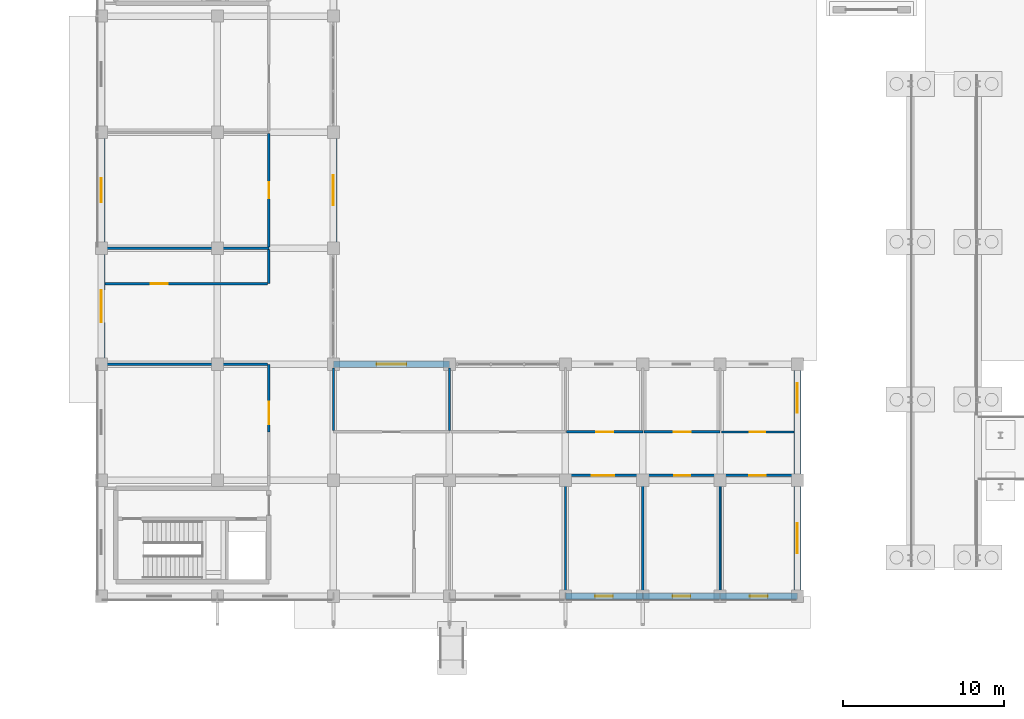
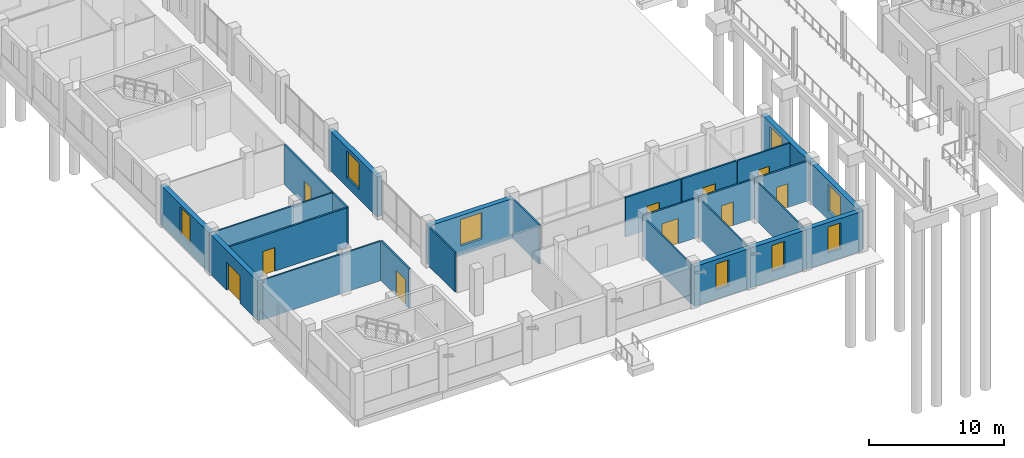
# One storey, part 72 of 98: 26 walls, 10 doors, 8 windows, 18 openings.
"""IFC4 building model written with IfcOpenShell, lengths in metres."""

import ifcopenshell
import ifcopenshell.guid

model = None  # the IFC model being written
_history = None  # IfcOwnerHistory: only IFC2X3 demands one
_inside = {}  # id of a spatial element -> (the spatial element, [elements in it])
_under = {}  # id of a project, library or spatial element -> (it, [spatial elements below it])
_declared = {}  # id of a project -> (the project, [libraries it declares])
_typed = {}  # id of a type object -> (the type object, [elements of that type])
_made_of = {}  # id of a material, layer set ... -> (it, [elements and type objects made of it])


def new_model(schema):
    """Start an empty IFC model of exactly this schema.

    Asked for "IFC4X3", IfcOpenShell would pick the latest addendum, in which some entities
    have other attributes; the version numbers below select the first issue.
    IFC2X3 requires an IfcOwnerHistory on every rooted entity: one is made here for all.
    """
    global model, _history
    if schema == "IFC4X3":
        model = ifcopenshell.file(schema_version=(4, 3, 0, 0))
    else:
        model = ifcopenshell.file(schema=schema)
    _inside.clear()
    _under.clear()
    _declared.clear()
    _typed.clear()
    _made_of.clear()
    _history = None
    if model.schema == "IFC2X3":
        org = make("IfcOrganization", Name="unknown")
        user = make(
            "IfcPersonAndOrganization",
            ThePerson=make("IfcPerson", FamilyName="unknown"),
            TheOrganization=org,
        )
        app = make(
            "IfcApplication",
            ApplicationDeveloper=org,
            Version="unknown",
            ApplicationFullName="unknown",
            ApplicationIdentifier="unknown",
        )
        _history = make(
            "IfcOwnerHistory",
            OwningUser=user,
            OwningApplication=app,
            ChangeAction="ADDED",
            CreationDate=0,
        )
    return model


def make(cls, **values):
    """One entity of the class cls with the attributes given. An attribute that is None is left unset."""
    return model.create_entity(
        cls, **{name: value for name, value in values.items() if value is not None}
    )


def rooted(cls, **values):
    """An entity with a GlobalId (a new one), such as an element, a storey or a relation."""
    return make(cls, GlobalId=ifcopenshell.guid.new(), OwnerHistory=_history, **values)


def si_unit(unit_type, name, prefix=None):
    """IfcSIUnit, for example si_unit("LENGTHUNIT", "METRE", prefix="MILLI")."""
    return make("IfcSIUnit", UnitType=unit_type, Prefix=prefix, Name=name)


def assignment(units):
    """IfcUnitAssignment: the units of a project."""
    return None if units is None else make("IfcUnitAssignment", Units=units)


def point(xyz):
    """IfcCartesianPoint."""
    return None if xyz is None else make("IfcCartesianPoint", Coordinates=xyz)


def direction(xyz):
    """IfcDirection."""
    return None if xyz is None else make("IfcDirection", DirectionRatios=xyz)


def frame(location, z_axis=None, x_axis=None):
    """IfcAxis2Placement3D, a coordinate frame: its origin and axes. An axis left out is left unset."""
    return make(
        "IfcAxis2Placement3D",
        Location=point(location),
        Axis=direction(z_axis),
        RefDirection=direction(x_axis),
    )


def frame_2d(location, x_axis=None):
    """IfcAxis2Placement2D, a coordinate frame in the plane: its origin and x axis."""
    return make(
        "IfcAxis2Placement2D", Location=point(location), RefDirection=direction(x_axis)
    )


def origin():
    """The frame at (0, 0, 0) with its axes left unset."""
    return frame((0.0, 0.0, 0.0))


def place(relative_to, where):
    """IfcLocalPlacement: puts the frame where relative to a parent placement (None: the world)."""
    return make(
        "IfcLocalPlacement", PlacementRelTo=relative_to, RelativePlacement=where
    )


def context(
    kind, dimensions, precision=None, world=None, true_north=None, identifier=None
):
    """IfcGeometricRepresentationContext, for example the 3D "Model" context."""
    return make(
        "IfcGeometricRepresentationContext",
        ContextIdentifier=identifier,
        ContextType=kind,
        CoordinateSpaceDimension=dimensions,
        Precision=precision,
        WorldCoordinateSystem=world,
        TrueNorth=true_north,
    )


def subcontext(parent, identifier, kind, view, scale=None):
    """IfcGeometricRepresentationSubContext, for example "Body" below "Model"."""
    return make(
        "IfcGeometricRepresentationSubContext",
        ContextIdentifier=identifier,
        ContextType=kind,
        ParentContext=parent,
        TargetScale=scale,
        TargetView=view,
    )


def project(units=None, contexts=None):
    """IfcProject with its units and contexts."""
    return rooted(
        "IfcProject",
        Name="project",
        RepresentationContexts=contexts,
        UnitsInContext=assignment(units),
    )


def spatial(cls, under=None, at=None, **own):
    """A site, building, storey or space (cls), placed at a placement, below another one or the project."""
    s = rooted(cls, ObjectPlacement=at, **own)
    if under is not None:
        _under.setdefault(under.id(), (under, []))[1].append(s)
    return s


def profile(cls, at=None, kind="AREA", **sizes):
    """A parametric profile (cls). Its sizes go by their IFC names, for example OverallWidth=200.0."""
    return make(cls, ProfileType=kind, Position=at, **sizes)


def rectangle(**sizes):
    """IfcRectangleProfileDef."""
    return profile("IfcRectangleProfileDef", **sizes)


def extrude(swept, where, along, depth):
    """IfcExtrudedAreaSolid: the profile swept, set in the frame where, extruded along a direction by depth."""
    return make(
        "IfcExtrudedAreaSolid",
        SweptArea=swept,
        Position=where,
        ExtrudedDirection=direction(along),
        Depth=depth,
    )


def shape(context_of_items, identifier, shape_type, items):
    """IfcShapeRepresentation: the items that make up one representation, for example the "Body"."""
    return make(
        "IfcShapeRepresentation",
        ContextOfItems=context_of_items,
        RepresentationIdentifier=identifier,
        RepresentationType=shape_type,
        Items=items,
    )


def material(Name=None, Category=None):
    """IfcMaterial."""
    return make("IfcMaterial", Name=Name, Category=Category)


def layer(
    of_material, thickness, ventilated=None, Name=None, Category=None, Priority=None
):
    """IfcMaterialLayer: one layer of a wall or slab, of a material (None: an air gap)."""
    return make(
        "IfcMaterialLayer",
        Material=of_material,
        LayerThickness=thickness,
        IsVentilated=ventilated,
        Name=Name,
        Category=Category,
        Priority=Priority,
    )


def layer_set(layers, Name=None):
    """IfcMaterialLayerSet."""
    return make("IfcMaterialLayerSet", MaterialLayers=layers, LayerSetName=Name)


def made_of(thing, what):
    """Note that an element or type object is made of a material, layer set ...; save() writes the relation."""
    if what is not None:
        _made_of.setdefault(what.id(), (what, []))[1].append(thing)
    return thing


def type_object(cls, material=None, **own):
    """A type object (cls), such as IfcWallType, which elements share."""
    return made_of(rooted(cls, **own), material)


def element(
    cls,
    number,
    at=None,
    inside=None,
    cuts=None,
    type_object=None,
    material=None,
    context=None,
    identifier="Body",
    shape_type=None,
    held_by="IfcProductDefinitionShape",
    body=None,
    shapes=None,
    **own,
):
    """One element of the class cls, such as IfcWall. Its Tag is "e" and its number.

    at: its placement. inside: the storey or other place that contains it. cuts: it is an
    opening in that element (IfcRelVoidsElement). A single representation is given by context,
    identifier, shape_type and body (its items); several are given by shapes. held_by: the class
    of the entity that holds the representations. save() writes the other relations.
    """
    e = rooted(cls, Tag="e%d" % number, ObjectPlacement=at, **own)
    if body is not None:
        shapes = [shape(context, identifier, shape_type, body)]
    if shapes is not None:
        e.Representation = make(held_by, Representations=shapes)
    if inside is not None:
        _inside.setdefault(inside.id(), (inside, []))[1].append(e)
    if cuts is not None:
        rooted(
            "IfcRelVoidsElement", RelatingBuildingElement=cuts, RelatedOpeningElement=e
        )
    if type_object is not None:
        _typed.setdefault(type_object.id(), (type_object, []))[1].append(e)
    return made_of(e, material)


def fill(opening, filler):
    """IfcRelFillsElement: the door or window that sits in an opening."""
    return rooted(
        "IfcRelFillsElement",
        RelatingOpeningElement=opening,
        RelatedBuildingElement=filler,
    )


def aggregate(whole, parts):
    """IfcRelAggregates: a whole, such as a stair, and the parts it consists of."""
    return rooted("IfcRelAggregates", RelatingObject=whole, RelatedObjects=parts)


def save(model, path):
    """Write the relations noted so far, then the file.

    IfcRelAggregates (storeys below a building ...), IfcRelContainedInSpatialStructure (elements
    in a storey), IfcRelDefinesByType, IfcRelAssociatesMaterial and IfcRelDeclares: one each for
    every whole, place, type object, material and project.
    """
    for whole, parts in _under.values():
        aggregate(whole, parts)
    for where, things in _inside.values():
        rooted(
            "IfcRelContainedInSpatialStructure",
            RelatedElements=things,
            RelatingStructure=where,
        )
    for kind, things in _typed.values():
        rooted("IfcRelDefinesByType", RelatedObjects=things, RelatingType=kind)
    for what, things in _made_of.values():
        rooted("IfcRelAssociatesMaterial", RelatedObjects=things, RelatingMaterial=what)
    for by, libraries in _declared.values():
        rooted("IfcRelDeclares", RelatingContext=by, RelatedDefinitions=libraries)
    model.write(path)


model = new_model("IFC4")

# Units and contexts
model_context = context("Model", 3, precision=1e-05, world=origin(), true_north=direction((0.0, 1.0)))
body_context = subcontext(model_context, "Body", "Model", "MODEL_VIEW")
ifc_project = project(units=[si_unit("LENGTHUNIT", "METRE"), si_unit("AREAUNIT", "SQUARE_METRE"), si_unit("VOLUMEUNIT", "CUBIC_METRE"), si_unit("PLANEANGLEUNIT", "RADIAN"), si_unit("MASSUNIT", "GRAM", prefix="KILO")], contexts=[model_context])

# Site, building, storey
site_placement = place(None, origin())
site = spatial("IfcSite", under=ifc_project, at=site_placement, CompositionType="ELEMENT")
building_placement = place(site_placement, origin())
building = spatial("IfcBuilding", under=site, at=building_placement, Name="Zornivar Specialist Clinic", CompositionType="ELEMENT")
storey_placement = place(building_placement, origin())
storey = spatial("IfcBuildingStorey", under=building, at=storey_placement, Name="L00", CompositionType="ELEMENT", Elevation=0.0)

# Wall, opening, window
ifc_material_1 = material(Name="Masonry Vratsa Limestone Ashlar Cavity Wall", Category="masonry")
ifc_layer_1 = layer(ifc_material_1, 0.419921875)
ifc_layer_set_1 = layer_set([ifc_layer_1], Name="Masonry Vratsa Limestone Ashlar Cavity Wall")
wall_type_1 = type_object("IfcWallType", Name="EW-LIMESTONE-420", PredefinedType="SOLIDWALL", material=ifc_layer_set_1)
wall_1_placement = place(storey_placement, frame((28.800048828125, 0.0, 0.0), z_axis=(0.0, 0.0, 1.0), x_axis=(1.0, 0.0, 0.0)))
wall_1 = element("IfcWall", 1, at=wall_1_placement, inside=storey, type_object=wall_type_1, Name="ew:V2:L00:04", PredefinedType="SOLIDWALL", context=body_context, shape_type="SweptSolid", body=[
    extrude(rectangle(XDim=4.800048828125, YDim=0.419921875, at=frame_2d((2.39990234375, 0.0))), origin(), (0.0, 0.0, 1.0), 3.60009765625),
])
opening_1_placement = place(wall_1_placement, frame((1.85009765625, 0.0, 0.85009765625)))
opening_1 = element("IfcOpeningElement", 2, at=opening_1_placement, cuts=wall_1, Name="Opening W-04", PredefinedType="OPENING", context=body_context, shape_type="SweptSolid", body=[
    extrude(rectangle(XDim=1.10009765625, YDim=2.35009765625, at=frame_2d((0.550048828125, 1.175048828125))), frame((0.0, 0.219970703125, 0.0), z_axis=(0.0, -1.0, 0.0), x_axis=(1.0, 0.0, 0.0)), (0.0, 0.0, 1.0), 0.43994140625),
])
ifc_material_2 = material(Name="Triple-Glazed Aluminium-Timber Window Glass", Category="wood")
window_type_1 = type_object("IfcWindowType", Name="WIN-PLINTH-PIER-1100x2350", PartitioningType="SINGLE_PANEL", PredefinedType="WINDOW", material=ifc_material_2)
window_1_placement = place(opening_1_placement, origin())
window_1 = element("IfcWindow", 3, at=window_1_placement, inside=storey, type_object=window_type_1, Name="win:V2:L00:04", OverallHeight=2.35009765625, OverallWidth=1.10009765625, PartitioningType="SINGLE_PANEL", PredefinedType="WINDOW", context=body_context, shape_type="SweptSolid", body=[
    extrude(rectangle(XDim=1.10009765625, YDim=2.35009765625, at=frame_2d((0.550048828125, 1.175048828125))), frame((0.0, 0.030029296875, 0.0), z_axis=(0.0, -1.0, 0.0), x_axis=(1.0, 0.0, 0.0)), (0.0, 0.0, 1.0), 0.06005859375),
])
fill(opening_1, window_1)

wall_2_placement = place(storey_placement, frame((33.60009765625, 0.0, 0.0), z_axis=(0.0, 0.0, 1.0), x_axis=(1.0, 0.0, 0.0)))
wall_2 = element("IfcWall", 4, at=wall_2_placement, inside=storey, type_object=wall_type_1, Name="ew:V2:L00:05", PredefinedType="SOLIDWALL", context=body_context, shape_type="SweptSolid", body=[
    extrude(rectangle(XDim=4.7998046875, YDim=0.419921875, at=frame_2d((2.39990234375, 0.0))), origin(), (0.0, 0.0, 1.0), 3.60009765625),
])
opening_2_placement = place(wall_2_placement, frame((1.85009765625, 0.0, 0.85009765625)))
opening_2 = element("IfcOpeningElement", 5, at=opening_2_placement, cuts=wall_2, Name="Opening W-04", PredefinedType="OPENING", context=body_context, shape_type="SweptSolid", body=[
    extrude(rectangle(XDim=1.10009765625, YDim=2.35009765625, at=frame_2d((0.550048828125, 1.175048828125))), frame((0.0, 0.219970703125, 0.0), z_axis=(0.0, -1.0, 0.0), x_axis=(1.0, 0.0, 0.0)), (0.0, 0.0, 1.0), 0.43994140625),
])
window_2_placement = place(opening_2_placement, origin())
window_2 = element("IfcWindow", 6, at=window_2_placement, inside=storey, type_object=window_type_1, Name="win:V2:L00:05", OverallHeight=2.35009765625, OverallWidth=1.10009765625, PartitioningType="SINGLE_PANEL", PredefinedType="WINDOW", context=body_context, shape_type="SweptSolid", body=[
    extrude(rectangle(XDim=1.10009765625, YDim=2.35009765625, at=frame_2d((0.550048828125, 1.175048828125))), frame((0.0, 0.030029296875, 0.0), z_axis=(0.0, -1.0, 0.0), x_axis=(1.0, 0.0, 0.0)), (0.0, 0.0, 1.0), 0.06005859375),
])
fill(opening_2, window_2)

wall_3_placement = place(storey_placement, frame((38.39990234375, 0.0, 0.0), z_axis=(0.0, 0.0, 1.0), x_axis=(1.0, 0.0, 0.0)))
wall_3 = element("IfcWall", 7, at=wall_3_placement, inside=storey, type_object=wall_type_1, Name="ew:V2:L00:06", PredefinedType="SOLIDWALL", context=body_context, shape_type="SweptSolid", body=[
    extrude(rectangle(XDim=4.800048828125, YDim=0.419921875, at=frame_2d((2.39990234375, 0.0))), origin(), (0.0, 0.0, 1.0), 3.60009765625),
])
opening_3_placement = place(wall_3_placement, frame((1.85009765625, 0.0, 0.85009765625)))
opening_3 = element("IfcOpeningElement", 8, at=opening_3_placement, cuts=wall_3, Name="Opening W-04", PredefinedType="OPENING", context=body_context, shape_type="SweptSolid", body=[
    extrude(rectangle(XDim=1.10009765625, YDim=2.35009765625, at=frame_2d((0.550048828125, 1.175048828125))), frame((0.0, 0.219970703125, 0.0), z_axis=(0.0, -1.0, 0.0), x_axis=(1.0, 0.0, 0.0)), (0.0, 0.0, 1.0), 0.43994140625),
])
window_3_placement = place(opening_3_placement, origin())
window_3 = element("IfcWindow", 9, at=window_3_placement, inside=storey, type_object=window_type_1, Name="win:V2:L00:06", OverallHeight=2.35009765625, OverallWidth=1.10009765625, PartitioningType="SINGLE_PANEL", PredefinedType="WINDOW", context=body_context, shape_type="SweptSolid", body=[
    extrude(rectangle(XDim=1.10009765625, YDim=2.35009765625, at=frame_2d((0.550048828125, 1.175048828125))), frame((0.0, 0.030029296875, 0.0), z_axis=(0.0, -1.0, 0.0), x_axis=(1.0, 0.0, 0.0)), (0.0, 0.0, 1.0), 0.06005859375),
])
fill(opening_3, window_3)

wall_4_placement = place(storey_placement, frame((43.199951171875, 0.0, 0.0), z_axis=(0.0, 0.0, 1.0), x_axis=(0.0, 1.0, 0.0)))
wall_4 = element("IfcWall", 10, at=wall_4_placement, inside=storey, type_object=wall_type_1, Name="ew:V2:L00:07", PredefinedType="SOLIDWALL", context=body_context, shape_type="SweptSolid", body=[
    extrude(rectangle(XDim=7.199951171875, YDim=0.419921875, at=frame_2d((3.60009765625, 0.0))), origin(), (0.0, 0.0, 1.0), 3.60009765625),
])
opening_4_placement = place(wall_4_placement, frame((2.675048828125, 0.0, 0.85009765625)))
opening_4 = element("IfcOpeningElement", 11, at=opening_4_placement, cuts=wall_4, Name="Opening W-03", PredefinedType="OPENING", context=body_context, shape_type="SweptSolid", body=[
    extrude(rectangle(XDim=1.85009765625, YDim=2.39990234375, at=frame_2d((0.925048828125, 1.199951171875))), frame((0.0, 0.219970703125, 0.0), z_axis=(0.0, -1.0, 0.0), x_axis=(1.0, 0.0, 0.0)), (0.0, 0.0, 1.0), 0.43994140625),
])
ifc_material_3 = material(Name="Triple-Glazed Aluminium-Timber Window Glass", Category="wood")
window_type_2 = type_object("IfcWindowType", Name="WIN-PLINTH-COURT-1850x2400", PartitioningType="SINGLE_PANEL", PredefinedType="WINDOW", material=ifc_material_3)
window_4_placement = place(opening_4_placement, origin())
window_4 = element("IfcWindow", 12, at=window_4_placement, inside=storey, type_object=window_type_2, Name="win:V2:L00:07", OverallHeight=2.39990234375, OverallWidth=1.85009765625, PartitioningType="SINGLE_PANEL", PredefinedType="WINDOW", context=body_context, shape_type="SweptSolid", body=[
    extrude(rectangle(XDim=1.85009765625, YDim=2.39990234375, at=frame_2d((0.925048828125, 1.199951171875))), frame((0.0, 0.030029296875, 0.0), z_axis=(0.0, -1.0, 0.0), x_axis=(1.0, 0.0, 0.0)), (0.0, 0.0, 1.0), 0.06005859375),
])
fill(opening_4, window_4)

wall_5_placement = place(storey_placement, frame((43.199951171875, 7.199951171875, 0.0), z_axis=(0.0, 0.0, 1.0), x_axis=(0.0, 1.0, 0.0)))
wall_5 = element("IfcWall", 13, at=wall_5_placement, inside=storey, type_object=wall_type_1, Name="ew:V2:L00:08", PredefinedType="SOLIDWALL", context=body_context, shape_type="SweptSolid", body=[
    extrude(rectangle(XDim=7.199951171875, YDim=0.419921875, at=frame_2d((3.60009765625, 0.0))), origin(), (0.0, 0.0, 1.0), 3.60009765625),
])
opening_5_placement = place(wall_5_placement, frame((4.175048828125, 0.0, 0.85009765625)))
opening_5 = element("IfcOpeningElement", 14, at=opening_5_placement, cuts=wall_5, Name="Opening W-03", PredefinedType="OPENING", context=body_context, shape_type="SweptSolid", body=[
    extrude(rectangle(XDim=1.85009765625, YDim=2.39990234375, at=frame_2d((0.925048828125, 1.199951171875))), frame((0.0, 0.219970703125, 0.0), z_axis=(0.0, -1.0, 0.0), x_axis=(1.0, 0.0, 0.0)), (0.0, 0.0, 1.0), 0.43994140625),
])
window_5_placement = place(opening_5_placement, origin())
window_5 = element("IfcWindow", 15, at=window_5_placement, inside=storey, type_object=window_type_2, Name="win:V2:L00:08", OverallHeight=2.39990234375, OverallWidth=1.85009765625, PartitioningType="SINGLE_PANEL", PredefinedType="WINDOW", context=body_context, shape_type="SweptSolid", body=[
    extrude(rectangle(XDim=1.85009765625, YDim=2.39990234375, at=frame_2d((0.925048828125, 1.199951171875))), frame((0.0, 0.030029296875, 0.0), z_axis=(0.0, -1.0, 0.0), x_axis=(1.0, 0.0, 0.0)), (0.0, 0.0, 1.0), 0.06005859375),
])
fill(opening_5, window_5)

wall_6_placement = place(storey_placement, frame((21.60009765625, 14.39990234375, 0.0), z_axis=(0.0, 0.0, 1.0), x_axis=(-1.0, 0.0, 0.0)))
wall_6 = element("IfcWall", 16, at=wall_6_placement, inside=storey, type_object=wall_type_1, Name="ew:V2:L00:13", PredefinedType="SOLIDWALL", context=body_context, shape_type="SweptSolid", body=[
    extrude(rectangle(XDim=7.2001953125, YDim=0.419921875, at=frame_2d((3.60009765625, 0.0))), origin(), (0.0, 0.0, 1.0), 3.60009765625),
])
opening_6_placement = place(wall_6_placement, frame((2.675048828125, 0.0, 0.85009765625)))
opening_6 = element("IfcOpeningElement", 17, at=opening_6_placement, cuts=wall_6, Name="Opening W-03", PredefinedType="OPENING", context=body_context, shape_type="SweptSolid", body=[
    extrude(rectangle(XDim=1.85009765625, YDim=2.39990234375, at=frame_2d((0.925048828125, 1.199951171875))), frame((0.0, 0.219970703125, 0.0), z_axis=(0.0, -1.0, 0.0), x_axis=(1.0, 0.0, 0.0)), (0.0, 0.0, 1.0), 0.43994140625),
])
window_6_placement = place(opening_6_placement, origin())
window_6 = element("IfcWindow", 18, at=window_6_placement, inside=storey, type_object=window_type_2, Name="win:V2:L00:13", OverallHeight=2.39990234375, OverallWidth=1.85009765625, PartitioningType="SINGLE_PANEL", PredefinedType="WINDOW", context=body_context, shape_type="SweptSolid", body=[
    extrude(rectangle(XDim=1.85009765625, YDim=2.39990234375, at=frame_2d((0.925048828125, 1.199951171875))), frame((0.0, 0.030029296875, 0.0), z_axis=(0.0, -1.0, 0.0), x_axis=(1.0, 0.0, 0.0)), (0.0, 0.0, 1.0), 0.06005859375),
])
fill(opening_6, window_6)

wall_7_placement = place(storey_placement, frame((14.39990234375, 21.60009765625, 0.0), z_axis=(0.0, 0.0, 1.0), x_axis=(0.0, 1.0, 0.0)))
wall_7 = element("IfcWall", 19, at=wall_7_placement, inside=storey, type_object=wall_type_1, Name="ew:V2:L00:15", PredefinedType="SOLIDWALL", context=body_context, shape_type="SweptSolid", body=[
    extrude(rectangle(XDim=7.199951171875, YDim=0.419921875, at=frame_2d((3.60009765625, 0.0))), origin(), (0.0, 0.0, 1.0), 3.60009765625),
])
opening_7_placement = place(wall_7_placement, frame((2.675048828125, 0.0, 0.85009765625)))
opening_7 = element("IfcOpeningElement", 20, at=opening_7_placement, cuts=wall_7, Name="Opening W-03", PredefinedType="OPENING", context=body_context, shape_type="SweptSolid", body=[
    extrude(rectangle(XDim=1.85009765625, YDim=2.39990234375, at=frame_2d((0.925048828125, 1.199951171875))), frame((0.0, 0.219970703125, 0.0), z_axis=(0.0, -1.0, 0.0), x_axis=(1.0, 0.0, 0.0)), (0.0, 0.0, 1.0), 0.43994140625),
])
window_7_placement = place(opening_7_placement, origin())
window_7 = element("IfcWindow", 21, at=window_7_placement, inside=storey, type_object=window_type_2, Name="win:V2:L00:15", OverallHeight=2.39990234375, OverallWidth=1.85009765625, PartitioningType="SINGLE_PANEL", PredefinedType="WINDOW", context=body_context, shape_type="SweptSolid", body=[
    extrude(rectangle(XDim=1.85009765625, YDim=2.39990234375, at=frame_2d((0.925048828125, 1.199951171875))), frame((0.0, 0.030029296875, 0.0), z_axis=(0.0, -1.0, 0.0), x_axis=(1.0, 0.0, 0.0)), (0.0, 0.0, 1.0), 0.06005859375),
])
fill(opening_7, window_7)

wall_8_placement = place(storey_placement, frame((0.0, 28.800048828125, 0.0), z_axis=(0.0, 0.0, 1.0), x_axis=(0.0, -1.0, 0.0)))
wall_8 = element("IfcWall", 22, at=wall_8_placement, inside=storey, type_object=wall_type_1, Name="ew:V2:L00:28", PredefinedType="SOLIDWALL", context=body_context, shape_type="SweptSolid", body=[
    extrude(rectangle(XDim=7.199951171875, YDim=0.419921875, at=frame_2d((3.60009765625, 0.0))), origin(), (0.0, 0.0, 1.0), 3.60009765625),
])
opening_8_placement = place(wall_8_placement, frame((2.85009765625, 0.0, 0.85009765625)))
opening_8 = element("IfcOpeningElement", 23, at=opening_8_placement, cuts=wall_8, Name="Opening W-02", PredefinedType="OPENING", context=body_context, shape_type="SweptSolid", body=[
    extrude(rectangle(XDim=1.5, YDim=2.5, at=frame_2d((0.75, 1.25))), frame((0.0, 0.219970703125, 0.0), z_axis=(0.0, -1.0, 0.0), x_axis=(1.0, 0.0, 0.0)), (0.0, 0.0, 1.0), 0.43994140625),
])
ifc_material_4 = material(Name="Triple-Glazed Aluminium-Timber Window Glass", Category="wood")
window_type_3 = type_object("IfcWindowType", Name="WIN-PLINTH-STREET-1500x2500", PartitioningType="SINGLE_PANEL", PredefinedType="WINDOW", material=ifc_material_4)
window_8_placement = place(opening_8_placement, origin())
window_8 = element("IfcWindow", 24, at=window_8_placement, inside=storey, type_object=window_type_3, Name="win:V2:L00:28", OverallHeight=2.5, OverallWidth=1.5, PartitioningType="SINGLE_PANEL", PredefinedType="WINDOW", context=body_context, shape_type="SweptSolid", body=[
    extrude(rectangle(XDim=1.5, YDim=2.5, at=frame_2d((0.75, 1.25))), frame((0.0, 0.030029296875, 0.0), z_axis=(0.0, -1.0, 0.0), x_axis=(1.0, 0.0, 0.0)), (0.0, 0.0, 1.0), 0.06005859375),
])
fill(opening_8, window_8)

# Wall, opening, door
wall_9_placement = place(storey_placement, frame((0.0, 21.60009765625, 0.0), z_axis=(0.0, 0.0, 1.0), x_axis=(0.0, -1.0, 0.0)))
wall_9 = element("IfcWall", 25, at=wall_9_placement, inside=storey, type_object=wall_type_1, Name="ew:V2:L00:29", PredefinedType="SOLIDWALL", context=body_context, shape_type="SweptSolid", body=[
    extrude(rectangle(XDim=7.2001953125, YDim=0.419921875, at=frame_2d((3.60009765625, 0.0))), origin(), (0.0, 0.0, 1.0), 3.60009765625),
])
opening_9_placement = place(wall_9_placement, frame((2.60009765625, 0.0, 0.0)))
opening_9 = element("IfcOpeningElement", 26, at=opening_9_placement, cuts=wall_9, Name="Opening ED-02", PredefinedType="OPENING", context=body_context, shape_type="SweptSolid", body=[
    extrude(rectangle(XDim=2.0, YDim=2.5, at=frame_2d((1.0, 1.25))), frame((0.0, 0.219970703125, 0.0), z_axis=(0.0, -1.0, 0.0), x_axis=(1.0, 0.0, 0.0)), (0.0, 0.0, 1.0), 0.43994140625),
])
ifc_material_5 = material(Name="Thermally Broken Glazed Aluminium Door", Category="aluminium")
door_type_1 = type_object("IfcDoorType", Name="ED-PORTAL-2000x2500", OperationType="NOTDEFINED", PredefinedType="DOOR", material=ifc_material_5)
door_1_placement = place(opening_9_placement, frame((2.0, 0.0, 0.0), z_axis=(0.0, 0.0, 1.0), x_axis=(-1.0, 0.0, 0.0)))
door_1 = element("IfcDoor", 27, at=door_1_placement, inside=storey, type_object=door_type_1, Name="door:V2:L00:29", OperationType="DOUBLE_DOOR_SINGLE_SWING", OverallHeight=2.5, OverallWidth=2.0, PredefinedType="DOOR", context=body_context, shape_type="SweptSolid", body=[
    extrude(rectangle(XDim=2.0, YDim=2.5, at=frame_2d((1.0, 1.25))), frame((0.0, 0.02490234375, 0.0), z_axis=(0.0, -1.0, 0.0), x_axis=(1.0, 0.0, 0.0)), (0.0, 0.0, 1.0), 0.050048828125),
])
fill(opening_9, door_1)

# Walls
ifc_material_6 = material(Name="Acoustic Clinical Stud Partition")
ifc_layer_2 = layer(ifc_material_6, 0.139892578125)
ifc_layer_set_2 = layer_set([ifc_layer_2], Name="Acoustic Clinical Stud Partition")
wall_type_2 = type_object("IfcWallType", Name="IW-CLIN-140", PredefinedType="PARTITIONING", material=ifc_layer_set_2)
wall_10_placement = place(storey_placement, frame((0.22509765625, 14.39990234375, 0.0), z_axis=(0.0, 0.0, 1.0), x_axis=(1.0, 0.0, 0.0)))
element("IfcWall", 28, at=wall_10_placement, inside=storey, type_object=wall_type_2, Name="iw:L00:073", PredefinedType="PARTITIONING", context=body_context, shape_type="SweptSolid", body=[
    extrude(rectangle(XDim=10.080810546875, YDim=0.139892578125, at=frame_2d((5.04052734375, 0.0))), origin(), (0.0, 0.0, 1.0), 3.580078125),
])
wall_11_placement = place(storey_placement, frame((0.22509765625, 21.60009765625, 0.0), z_axis=(0.0, 0.0, 1.0), x_axis=(1.0, 0.0, 0.0)))
element("IfcWall", 29, at=wall_11_placement, inside=storey, type_object=wall_type_2, Name="iw:L00:074", PredefinedType="PARTITIONING", context=body_context, shape_type="SweptSolid", body=[
    extrude(rectangle(XDim=10.1748046875, YDim=0.139892578125, at=frame_2d((5.08740234375, 0.0))), origin(), (0.0, 0.0, 1.0), 3.580078125),
])
for number, where, z_axis, x_axis, name in (
    (30, (14.39990234375, 10.2939453125, 0.0), (0.0, 0.0, 1.0), (0.0, 1.0, 0.0), "iw:L00:096"),
    (31, (21.60009765625, 14.175048828125, 0.0), (0.0, 0.0, 1.0), (0.0, -1.0, 0.0), "iw:L00:097"),
):
    element("IfcWall", number, at=place(storey_placement, frame(where, z_axis=z_axis, x_axis=x_axis)), inside=storey, type_object=wall_type_2, Name=name, PredefinedType="PARTITIONING", context=body_context, shape_type="SweptSolid", body=[
        extrude(rectangle(XDim=3.881103515625, YDim=0.139892578125, at=frame_2d((1.9404296875, 0.0))), origin(), (0.0, 0.0, 1.0), 3.580078125),
    ])
for number, where, z_axis, x_axis, name in (
    (32, (28.800048828125, 7.406005859375, 0.0), (0.0, 0.0, 1.0), (0.0, -1.0, 0.0), "iw:L00:099"),
    (33, (33.60009765625, 7.406005859375, 0.0), (0.0, 0.0, 1.0), (0.0, -1.0, 0.0), "iw:L00:103"),
):
    element("IfcWall", number, at=place(storey_placement, frame(where, z_axis=z_axis, x_axis=x_axis)), inside=storey, type_object=wall_type_2, Name=name, PredefinedType="PARTITIONING", context=body_context, shape_type="SweptSolid", body=[
        extrude(rectangle(XDim=7.180908203125, YDim=0.139892578125, at=frame_2d((3.59033203125, 0.0))), origin(), (0.0, 0.0, 1.0), 3.580078125),
    ])

# Wall, opening, door
ifc_material_7 = material(Name="Gypsum Fire-Rated Double Stud Partition")
ifc_layer_3 = layer(ifc_material_7, 0.159912109375)
ifc_layer_set_3 = layer_set([ifc_layer_3], Name="Gypsum Fire-Rated Double Stud Partition")
wall_type_3 = type_object("IfcWallType", Name="IW-CORR-EI60-160", PredefinedType="PARTITIONING", material=ifc_layer_set_3)
wall_12_placement = place(storey_placement, frame((10.39990234375, 14.39990234375, 0.0), z_axis=(0.0, 0.0, 1.0), x_axis=(0.0, -1.0, 0.0)))
wall_12 = element("IfcWall", 34, at=wall_12_placement, inside=storey, type_object=wall_type_3, Name="iw:L00:069", PredefinedType="PARTITIONING", context=body_context, shape_type="SweptSolid", body=[
    extrude(rectangle(XDim=4.199951171875, YDim=0.159912109375, at=frame_2d((2.10009765625, 0.0))), origin(), (0.0, 0.0, 1.0), 3.580078125),
])
opening_10_placement = place(wall_12_placement, frame((2.320068359375, 0.0, 0.0)))
opening_10 = element("IfcOpeningElement", 35, at=opening_10_placement, cuts=wall_12, Name="Opening ID-12", PredefinedType="OPENING", context=body_context, shape_type="SweptSolid", body=[
    extrude(rectangle(XDim=1.39990234375, YDim=2.300048828125, at=frame_2d((0.699951171875, 1.14990234375))), frame((0.0, 0.08984375, 0.0), z_axis=(0.0, -1.0, 0.0), x_axis=(1.0, 0.0, 0.0)), (0.0, 0.0, 1.0), 0.179931640625),
])
ifc_material_8 = material(Name="Solid-Core Hygienic Laminate Timber Door", Category="wood")
door_type_2 = type_object("IfcDoorType", Name="ID-WAIT-1400x2300", OperationType="NOTDEFINED", PredefinedType="DOOR", material=ifc_material_8)
door_2_placement = place(opening_10_placement, origin())
door_2 = element("IfcDoor", 36, at=door_2_placement, inside=storey, type_object=door_type_2, Name="door:space:V2:L00:rm:00", OperationType="DOUBLE_DOOR_SINGLE_SWING", OverallHeight=2.300048828125, OverallWidth=1.39990234375, PredefinedType="DOOR", context=body_context, shape_type="SweptSolid", body=[
    extrude(rectangle(XDim=1.39990234375, YDim=2.300048828125, at=frame_2d((0.699951171875, 1.14990234375))), frame((0.0, 0.02490234375, 0.0), z_axis=(0.0, -1.0, 0.0), x_axis=(1.0, 0.0, 0.0)), (0.0, 0.0, 1.0), 0.050048828125),
])
fill(opening_10, door_2)

# Wall
wall_13_placement = place(storey_placement, frame((10.39990234375, 21.51611328125, 0.0), z_axis=(0.0, 0.0, 1.0), x_axis=(0.0, -1.0, 0.0)))
element("IfcWall", 37, at=wall_13_placement, inside=storey, type_object=wall_type_3, Name="iw:L00:075", PredefinedType="PARTITIONING", context=body_context, shape_type="SweptSolid", body=[
    extrude(rectangle(XDim=2.1162109375, YDim=0.159912109375, at=frame_2d((1.05810546875, 0.0))), origin(), (0.0, 0.0, 1.0), 3.580078125),
])

# Wall, opening, door
wall_14_placement = place(storey_placement, frame((10.305908203125, 19.39990234375, 0.0), z_axis=(0.0, 0.0, 1.0), x_axis=(-1.0, 0.0, 0.0)))
wall_14 = element("IfcWall", 38, at=wall_14_placement, inside=storey, type_object=wall_type_3, Name="iw:L00:076", PredefinedType="PARTITIONING", context=body_context, shape_type="SweptSolid", body=[
    extrude(rectangle(XDim=10.080810546875, YDim=0.159912109375, at=frame_2d((5.04052734375, 0.0))), origin(), (0.0, 0.0, 1.0), 3.580078125),
])
opening_11_placement = place(wall_14_placement, frame((6.177001953125, 0.0, 0.0)))
opening_11 = element("IfcOpeningElement", 39, at=opening_11_placement, cuts=wall_14, Name="Opening ID-03", PredefinedType="OPENING", context=body_context, shape_type="SweptSolid", body=[
    extrude(rectangle(XDim=1.050048828125, YDim=2.14990234375, at=frame_2d((0.52490234375, 1.074951171875))), frame((0.0, 0.08984375, 0.0), z_axis=(0.0, -1.0, 0.0), x_axis=(1.0, 0.0, 0.0)), (0.0, 0.0, 1.0), 0.179931640625),
])
ifc_material_9 = material(Name="Solid-Core Hygienic Laminate Timber Door", Category="wood")
door_type_3 = type_object("IfcDoorType", Name="ID-CONS-1050x2150", OperationType="NOTDEFINED", PredefinedType="DOOR", material=ifc_material_9)
door_3_placement = place(opening_11_placement, origin())
door_3 = element("IfcDoor", 40, at=door_3_placement, inside=storey, type_object=door_type_3, Name="door:space:V2:L00:rm:01", OperationType="SINGLE_SWING_RIGHT", OverallHeight=2.14990234375, OverallWidth=1.050048828125, PredefinedType="DOOR", context=body_context, shape_type="SweptSolid", body=[
    extrude(rectangle(XDim=1.050048828125, YDim=2.14990234375, at=frame_2d((0.52490234375, 1.074951171875))), frame((0.0, 0.02490234375, 0.0), z_axis=(0.0, -1.0, 0.0), x_axis=(1.0, 0.0, 0.0)), (0.0, 0.0, 1.0), 0.050048828125),
])
fill(opening_11, door_3)

wall_15_placement = place(storey_placement, frame((10.39990234375, 28.73095703125, 0.0), z_axis=(0.0, 0.0, 1.0), x_axis=(0.0, -1.0, 0.0)))
wall_15 = element("IfcWall", 41, at=wall_15_placement, inside=storey, type_object=wall_type_3, Name="iw:L00:078", PredefinedType="PARTITIONING", context=body_context, shape_type="SweptSolid", body=[
    extrude(rectangle(XDim=7.046875, YDim=0.159912109375, at=frame_2d((3.5234375, 0.0))), origin(), (0.0, 0.0, 1.0), 3.580078125),
])
opening_12_placement = place(wall_15_placement, frame((3.02294921875, 0.0, 0.0)))
opening_12 = element("IfcOpeningElement", 42, at=opening_12_placement, cuts=wall_15, Name="Opening ID-04", PredefinedType="OPENING", context=body_context, shape_type="SweptSolid", body=[
    extrude(rectangle(XDim=1.0, YDim=2.14990234375, at=frame_2d((0.5, 1.074951171875))), frame((0.0, 0.08984375, 0.0), z_axis=(0.0, -1.0, 0.0), x_axis=(1.0, 0.0, 0.0)), (0.0, 0.0, 1.0), 0.179931640625),
])
ifc_material_10 = material(Name="Solid-Core Hygienic Laminate Timber Door", Category="wood")
door_type_4 = type_object("IfcDoorType", Name="ID-EXAM-1000x2150", OperationType="NOTDEFINED", PredefinedType="DOOR", material=ifc_material_10)
door_4_placement = place(opening_12_placement, origin())
door_4 = element("IfcDoor", 43, at=door_4_placement, inside=storey, type_object=door_type_4, Name="door:space:V2:L00:rm:02", OperationType="SINGLE_SWING_LEFT", OverallHeight=2.14990234375, OverallWidth=1.0, PredefinedType="DOOR", context=body_context, shape_type="SweptSolid", body=[
    extrude(rectangle(XDim=1.0, YDim=2.14990234375, at=frame_2d((0.5, 1.074951171875))), frame((0.0, 0.02490234375, 0.0), z_axis=(0.0, -1.0, 0.0), x_axis=(1.0, 0.0, 0.0)), (0.0, 0.0, 1.0), 0.050048828125),
])
fill(opening_12, door_4)

wall_16_placement = place(storey_placement, frame((28.884033203125, 7.5, 0.0), z_axis=(0.0, 0.0, 1.0), x_axis=(1.0, 0.0, 0.0)))
wall_16 = element("IfcWall", 44, at=wall_16_placement, inside=storey, type_object=wall_type_3, Name="iw:L00:102", PredefinedType="PARTITIONING", context=body_context, shape_type="SweptSolid", body=[
    extrude(rectangle(XDim=4.716064453125, YDim=0.159912109375, at=frame_2d((2.35791015625, 0.0))), origin(), (0.0, 0.0, 1.0), 3.580078125),
])
opening_13_placement = place(wall_16_placement, frame((1.551025390625, 0.0, 0.0)))
opening_13 = element("IfcOpeningElement", 45, at=opening_13_placement, cuts=wall_16, Name="Opening ID-12", PredefinedType="OPENING", context=body_context, shape_type="SweptSolid", body=[
    extrude(rectangle(XDim=1.39990234375, YDim=2.300048828125, at=frame_2d((0.699951171875, 1.14990234375))), frame((0.0, 0.08984375, 0.0), z_axis=(0.0, -1.0, 0.0), x_axis=(1.0, 0.0, 0.0)), (0.0, 0.0, 1.0), 0.179931640625),
])
door_5_placement = place(opening_13_placement, origin())
door_5 = element("IfcDoor", 46, at=door_5_placement, inside=storey, type_object=door_type_2, Name="door:space:V2:L00:rm:13", OperationType="DOUBLE_DOOR_SINGLE_SWING", OverallHeight=2.300048828125, OverallWidth=1.39990234375, PredefinedType="DOOR", context=body_context, shape_type="SweptSolid", body=[
    extrude(rectangle(XDim=1.39990234375, YDim=2.300048828125, at=frame_2d((0.699951171875, 1.14990234375))), frame((0.0, 0.02490234375, 0.0), z_axis=(0.0, -1.0, 0.0), x_axis=(1.0, 0.0, 0.0)), (0.0, 0.0, 1.0), 0.050048828125),
])
fill(opening_13, door_5)

wall_17_placement = place(storey_placement, frame((33.60009765625, 10.199951171875, 0.0), z_axis=(0.0, 0.0, 1.0), x_axis=(-1.0, 0.0, 0.0)))
wall_17 = element("IfcWall", 47, at=wall_17_placement, inside=storey, type_object=wall_type_3, Name="iw:L00:104", PredefinedType="PARTITIONING", context=body_context, shape_type="SweptSolid", body=[
    extrude(rectangle(XDim=4.731201171875, YDim=0.159912109375, at=frame_2d((2.36572265625, 0.0))), origin(), (0.0, 0.0, 1.0), 3.580078125),
])
opening_14_placement = place(wall_17_placement, frame((1.841064453125, 0.0, 0.0)))
opening_14 = element("IfcOpeningElement", 48, at=opening_14_placement, cuts=wall_17, Name="Opening ID-03", PredefinedType="OPENING", context=body_context, shape_type="SweptSolid", body=[
    extrude(rectangle(XDim=1.050048828125, YDim=2.14990234375, at=frame_2d((0.52490234375, 1.074951171875))), frame((0.0, 0.08984375, 0.0), z_axis=(0.0, -1.0, 0.0), x_axis=(1.0, 0.0, 0.0)), (0.0, 0.0, 1.0), 0.179931640625),
])
door_6_placement = place(opening_14_placement, origin())
door_6 = element("IfcDoor", 49, at=door_6_placement, inside=storey, type_object=door_type_3, Name="door:space:V2:L00:rm:14", OperationType="SINGLE_SWING_LEFT", OverallHeight=2.14990234375, OverallWidth=1.050048828125, PredefinedType="DOOR", context=body_context, shape_type="SweptSolid", body=[
    extrude(rectangle(XDim=1.050048828125, YDim=2.14990234375, at=frame_2d((0.52490234375, 1.074951171875))), frame((0.0, 0.02490234375, 0.0), z_axis=(0.0, -1.0, 0.0), x_axis=(1.0, 0.0, 0.0)), (0.0, 0.0, 1.0), 0.050048828125),
])
fill(opening_14, door_6)

wall_18_placement = place(storey_placement, frame((33.68408203125, 7.5, 0.0), z_axis=(0.0, 0.0, 1.0), x_axis=(1.0, 0.0, 0.0)))
wall_18 = element("IfcWall", 50, at=wall_18_placement, inside=storey, type_object=wall_type_3, Name="iw:L00:106", PredefinedType="PARTITIONING", context=body_context, shape_type="SweptSolid", body=[
    extrude(rectangle(XDim=4.7158203125, YDim=0.159912109375, at=frame_2d((2.35791015625, 0.0))), origin(), (0.0, 0.0, 1.0), 3.580078125),
])
opening_15_placement = place(wall_18_placement, frame((1.85791015625, 0.0, 0.0)))
opening_15 = element("IfcOpeningElement", 51, at=opening_15_placement, cuts=wall_18, Name="Opening ID-04", PredefinedType="OPENING", context=body_context, shape_type="SweptSolid", body=[
    extrude(rectangle(XDim=1.0, YDim=2.14990234375, at=frame_2d((0.5, 1.074951171875))), frame((0.0, 0.08984375, 0.0), z_axis=(0.0, -1.0, 0.0), x_axis=(1.0, 0.0, 0.0)), (0.0, 0.0, 1.0), 0.179931640625),
])
door_7_placement = place(opening_15_placement, origin())
door_7 = element("IfcDoor", 52, at=door_7_placement, inside=storey, type_object=door_type_4, Name="door:space:V2:L00:rm:15", OperationType="SINGLE_SWING_RIGHT", OverallHeight=2.14990234375, OverallWidth=1.0, PredefinedType="DOOR", context=body_context, shape_type="SweptSolid", body=[
    extrude(rectangle(XDim=1.0, YDim=2.14990234375, at=frame_2d((0.5, 1.074951171875))), frame((0.0, 0.02490234375, 0.0), z_axis=(0.0, -1.0, 0.0), x_axis=(1.0, 0.0, 0.0)), (0.0, 0.0, 1.0), 0.050048828125),
])
fill(opening_15, door_7)

wall_19_placement = place(storey_placement, frame((38.39990234375, 10.199951171875, 0.0), z_axis=(0.0, 0.0, 1.0), x_axis=(-1.0, 0.0, 0.0)))
wall_19 = element("IfcWall", 53, at=wall_19_placement, inside=storey, type_object=wall_type_3, Name="iw:L00:108", PredefinedType="PARTITIONING", context=body_context, shape_type="SweptSolid", body=[
    extrude(rectangle(XDim=4.7158203125, YDim=0.159912109375, at=frame_2d((2.35791015625, 0.0))), origin(), (0.0, 0.0, 1.0), 3.580078125),
])
opening_16_placement = place(wall_19_placement, frame((1.8330078125, 0.0, 0.0)))
opening_16 = element("IfcOpeningElement", 54, at=opening_16_placement, cuts=wall_19, Name="Opening ID-03", PredefinedType="OPENING", context=body_context, shape_type="SweptSolid", body=[
    extrude(rectangle(XDim=1.050048828125, YDim=2.14990234375, at=frame_2d((0.52490234375, 1.074951171875))), frame((0.0, 0.08984375, 0.0), z_axis=(0.0, -1.0, 0.0), x_axis=(1.0, 0.0, 0.0)), (0.0, 0.0, 1.0), 0.179931640625),
])
door_8_placement = place(opening_16_placement, origin())
door_8 = element("IfcDoor", 55, at=door_8_placement, inside=storey, type_object=door_type_3, Name="door:space:V2:L00:rm:16", OperationType="SINGLE_SWING_LEFT", OverallHeight=2.14990234375, OverallWidth=1.050048828125, PredefinedType="DOOR", context=body_context, shape_type="SweptSolid", body=[
    extrude(rectangle(XDim=1.050048828125, YDim=2.14990234375, at=frame_2d((0.52490234375, 1.074951171875))), frame((0.0, 0.02490234375, 0.0), z_axis=(0.0, -1.0, 0.0), x_axis=(1.0, 0.0, 0.0)), (0.0, 0.0, 1.0), 0.050048828125),
])
fill(opening_16, door_8)

wall_20_placement = place(storey_placement, frame((38.468994140625, 7.5, 0.0), z_axis=(0.0, 0.0, 1.0), x_axis=(1.0, 0.0, 0.0)))
wall_20 = element("IfcWall", 56, at=wall_20_placement, inside=storey, type_object=wall_type_3, Name="iw:L00:110", PredefinedType="PARTITIONING", context=body_context, shape_type="SweptSolid", body=[
    extrude(rectangle(XDim=4.506103515625, YDim=0.159912109375, at=frame_2d((2.2529296875, 0.0))), origin(), (0.0, 0.0, 1.0), 3.580078125),
])
opening_17_placement = place(wall_20_placement, frame((1.7529296875, 0.0, 0.0)))
opening_17 = element("IfcOpeningElement", 57, at=opening_17_placement, cuts=wall_20, Name="Opening ID-04", PredefinedType="OPENING", context=body_context, shape_type="SweptSolid", body=[
    extrude(rectangle(XDim=1.0, YDim=2.14990234375, at=frame_2d((0.5, 1.074951171875))), frame((0.0, 0.08984375, 0.0), z_axis=(0.0, -1.0, 0.0), x_axis=(1.0, 0.0, 0.0)), (0.0, 0.0, 1.0), 0.179931640625),
])
door_9_placement = place(opening_17_placement, origin())
door_9 = element("IfcDoor", 58, at=door_9_placement, inside=storey, type_object=door_type_4, Name="door:space:V2:L00:rm:17", OperationType="SINGLE_SWING_RIGHT", OverallHeight=2.14990234375, OverallWidth=1.0, PredefinedType="DOOR", context=body_context, shape_type="SweptSolid", body=[
    extrude(rectangle(XDim=1.0, YDim=2.14990234375, at=frame_2d((0.5, 1.074951171875))), frame((0.0, 0.02490234375, 0.0), z_axis=(0.0, -1.0, 0.0), x_axis=(1.0, 0.0, 0.0)), (0.0, 0.0, 1.0), 0.050048828125),
])
fill(opening_17, door_9)

# Wall
ifc_material_11 = material(Name="Acoustic Sub-Waiting Alcove Partition")
ifc_layer_4 = layer(ifc_material_11, 0.110107421875)
ifc_layer_set_4 = layer_set([ifc_layer_4], Name="Acoustic Sub-Waiting Alcove Partition")
wall_type_4 = type_object("IfcWallType", Name="IW-SUBWAIT-110", PredefinedType="PARTITIONING", material=ifc_layer_set_4)
wall_21_placement = place(storey_placement, frame((38.39990234375, 7.406005859375, 0.0), z_axis=(0.0, 0.0, 1.0), x_axis=(0.0, -1.0, 0.0)))
element("IfcWall", 59, at=wall_21_placement, inside=storey, type_object=wall_type_4, Name="iw:L00:107", PredefinedType="PARTITIONING", context=body_context, shape_type="SweptSolid", body=[
    extrude(rectangle(XDim=7.180908203125, YDim=0.110107421875, at=frame_2d((3.59033203125, 0.0))), origin(), (0.0, 0.0, 1.0), 3.580078125),
])

# Wall, opening, door
ifc_material_12 = material(Name="Moisture-Resistant Sanitary Partition")
ifc_layer_5 = layer(ifc_material_12, 0.1298828125)
ifc_layer_set_5 = layer_set([ifc_layer_5], Name="Moisture-Resistant Sanitary Partition")
wall_type_5 = type_object("IfcWallType", Name="IW-WET-130", PredefinedType="PARTITIONING", material=ifc_layer_set_5)
wall_22_placement = place(storey_placement, frame((42.97509765625, 10.199951171875, 0.0), z_axis=(0.0, 0.0, 1.0), x_axis=(-1.0, 0.0, 0.0)))
wall_22 = element("IfcWall", 60, at=wall_22_placement, inside=storey, type_object=wall_type_5, Name="iw:L00:111", PredefinedType="PARTITIONING", context=body_context, shape_type="SweptSolid", body=[
    extrude(rectangle(XDim=4.49609375, YDim=0.1298828125, at=frame_2d((2.248046875, 0.0))), origin(), (0.0, 0.0, 1.0), 3.580078125),
])
opening_18_placement = place(wall_22_placement, frame((1.77294921875, 0.0, 0.0)))
opening_18 = element("IfcOpeningElement", 61, at=opening_18_placement, cuts=wall_22, Name="Opening ID-07", PredefinedType="OPENING", context=body_context, shape_type="SweptSolid", body=[
    extrude(rectangle(XDim=0.949951171875, YDim=2.10009765625, at=frame_2d((0.47509765625, 1.050048828125))), frame((0.0, 0.074951171875, 0.0), z_axis=(0.0, -1.0, 0.0), x_axis=(1.0, 0.0, 0.0)), (0.0, 0.0, 1.0), 0.14990234375),
])
ifc_material_13 = material(Name="Solid-Core Hygienic Laminate Timber Door", Category="wood")
door_type_5 = type_object("IfcDoorType", Name="ID-WC-ACC-0950x2100", OperationType="NOTDEFINED", PredefinedType="DOOR", material=ifc_material_13)
door_10_placement = place(opening_18_placement, origin())
door_10 = element("IfcDoor", 62, at=door_10_placement, inside=storey, type_object=door_type_5, Name="door:space:V2:L00:rm:18", OperationType="SINGLE_SWING_LEFT", OverallHeight=2.10009765625, OverallWidth=0.949951171875, PredefinedType="DOOR", context=body_context, shape_type="SweptSolid", body=[
    extrude(rectangle(XDim=0.949951171875, YDim=2.10009765625, at=frame_2d((0.47509765625, 1.050048828125))), frame((0.0, 0.02490234375, 0.0), z_axis=(0.0, -1.0, 0.0), x_axis=(1.0, 0.0, 0.0)), (0.0, 0.0, 1.0), 0.050048828125),
])
fill(opening_18, door_10)

save(model, "model.ifc")
